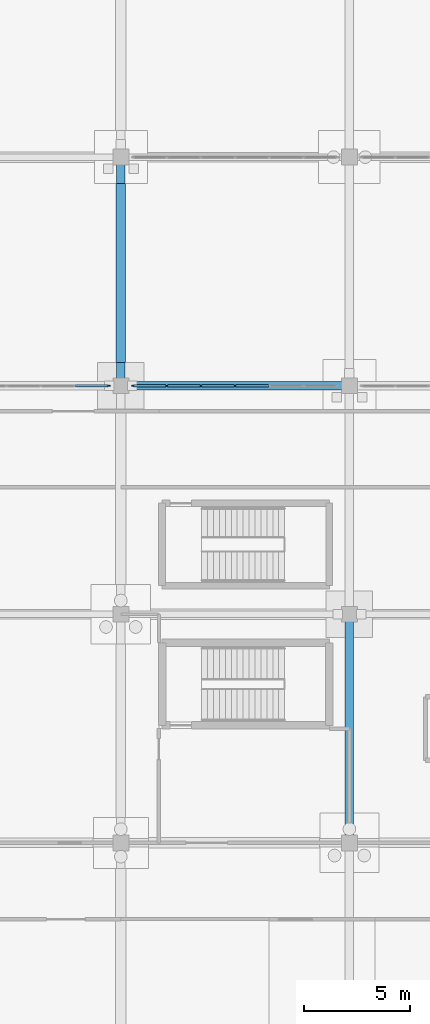
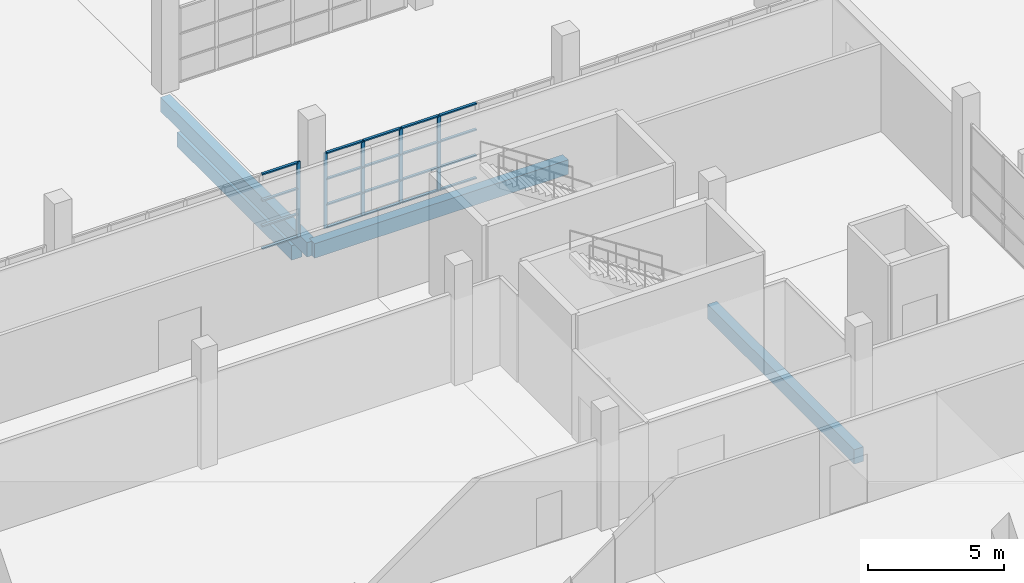
# One storey, part 64 of 138: 25 members, 4 beams, 2 elements without a shape of their own.
"""IFC4 building model written with IfcOpenShell, lengths in metres."""

from ifc_helpers import new_model, si_unit, direction, frame, origin, origin_2d, place, context, subcontext, project, spatial, rectangle, extrude, material, material_profile, profile_set, type_object, element, aggregate, save


model = new_model("IFC4")

# Units and contexts
model_context = context("Model", 3, precision=1e-05, world=origin(), true_north=direction((0.0, 1.0)))
body_context = subcontext(model_context, "Body", "Model", "MODEL_VIEW")
ifc_project = project(units=[si_unit("LENGTHUNIT", "METRE"), si_unit("AREAUNIT", "SQUARE_METRE"), si_unit("VOLUMEUNIT", "CUBIC_METRE"), si_unit("PLANEANGLEUNIT", "RADIAN"), si_unit("MASSUNIT", "GRAM", prefix="KILO")], contexts=[model_context])

# Site, building, storey
site_placement = place(None, origin())
site = spatial("IfcSite", under=ifc_project, at=site_placement, CompositionType="ELEMENT")
building_placement = place(site_placement, origin())
building = spatial("IfcBuilding", under=site, at=building_placement, Name="Zwinboog Wholesale Market", CompositionType="ELEMENT")
storey_placement = place(building_placement, origin())
storey = spatial("IfcBuildingStorey", under=building, at=storey_placement, Name="L00", CompositionType="ELEMENT", Elevation=0.0)

# Beams
ifc_material_1 = material(Name="Precast concrete C45/55", Category="concrete")
ifc_material_profile_1 = material_profile(ifc_material_1, rectangle(XDim=0.39990234375, YDim=0.64990234375, at=origin_2d()), Name="PC 400x650")
ifc_profile_set_1 = profile_set([ifc_material_profile_1], Name="Precast concrete C45/55")
beam_type_1 = type_object("IfcBeamType", Name="BT-05", PredefinedType="BEAM", material=ifc_profile_set_1)
for number, where, z_axis, x_axis, name in (
    (1, (151.199951171875, 54.0, -0.719970703125), (1.0, 0.0, 0.0), (0.0, 1.0, 0.0), "BG-05 (BMG-L00-1512-0540-0081)"),
    (2, (151.199951171875, 54.0, -0.719970703125), (0.0, 1.0, 0.0), (-1.0, 0.0, 0.0), "BG-05 (BMG-L00-1512-0540-0358)"),
    (3, (162.0, 32.39990234375, -0.719970703125), (0.0, 1.0, 0.0), (-1.0, 0.0, 0.0), "BG-05 (BMG-L00-1620-0324-0368)"),
):
    element("IfcBeam", number, at=place(storey_placement, frame(where, z_axis=z_axis, x_axis=x_axis)), inside=storey, type_object=beam_type_1, Name=name, PredefinedType="BEAM", context=body_context, shape_type="SweptSolid", body=[
        extrude(rectangle(XDim=0.39990234375, YDim=0.64990234375, at=origin_2d()), origin(), (0.0, 0.0, 1.0), 10.800048828125),
    ])
ifc_material_2 = material(Name="Concrete C35/45", Category="concrete")
ifc_material_profile_2 = material_profile(ifc_material_2, rectangle(XDim=0.449951171875, YDim=0.64990234375, at=origin_2d()), Name="RC 450x650")
ifc_profile_set_2 = profile_set([ifc_material_profile_2], Name="Concrete C35/45")
beam_type_2 = type_object("IfcBeamType", Name="BT-13", PredefinedType="USERDEFINED", material=ifc_profile_set_2)
beam_placement = place(storey_placement, frame((151.199951171875, 55.10498046875, -1.52490234375), z_axis=(0.0, 1.0, 0.0), x_axis=(-1.0, 0.0, 0.0)))
element("IfcBeam", 4, at=beam_placement, inside=storey, type_object=beam_type_2, Name="GB-02 (BM-GB-0189)", ObjectType="GROUND_BEAM", PredefinedType="USERDEFINED", context=body_context, shape_type="SweptSolid", body=[
    extrude(rectangle(XDim=0.449951171875, YDim=0.64990234375, at=origin_2d()), origin(), (0.0, 0.0, 1.0), 8.43994140625),
])

# Curtain wall, member
ifc_material_3 = material(Name="Aluminium thermally broken curtain wall", Category="aluminium")
curtain_wall_type = type_object("IfcCurtainWallType", Name="CWT-INT-STALL", PredefinedType="USERDEFINED", material=ifc_material_3)
curtain_wall_1_placement = place(storey_placement, origin())
curtain_wall_1 = element("IfcCurtainWall", 5, at=curtain_wall_1_placement, inside=storey, type_object=curtain_wall_type, Name="CW-07 (CW-STL-188)", ObjectType="STOREFRONT_GLAZING", PredefinedType="USERDEFINED")
ifc_material_4 = material(Name="Aluminium EN AW-6060", Category="aluminium")
ifc_material_profile_3 = material_profile(ifc_material_4, rectangle(XDim=0.06005859375, YDim=0.14990234375, at=origin_2d()), Name="AL 60x150")
ifc_profile_set_3 = profile_set([ifc_material_profile_3], Name="Aluminium EN AW-6060")
member_type_1 = type_object("IfcMemberType", Name="CWM-INT-60x120", PredefinedType="MULLION", material=ifc_profile_set_3)
member_1_placement = place(storey_placement, frame((150.6201171875, 54.0, 0.0), z_axis=(0.0, 0.0, 1.0), x_axis=(0.0, 1.0, 0.0)))
member_1 = element("IfcMember", 6, at=member_1_placement, type_object=member_type_1, Name="CW-07 mullion 7", PredefinedType="MULLION", context=body_context, shape_type="SweptSolid", body=[
    extrude(rectangle(XDim=0.06005859375, YDim=0.14990234375, at=origin_2d()), origin(), (0.0, 0.0, 1.0), 3.39990234375),
])

# Curtain wall, members
curtain_wall_2_placement = place(storey_placement, origin())
curtain_wall_2 = element("IfcCurtainWall", 7, at=curtain_wall_2_placement, inside=storey, type_object=curtain_wall_type, Name="CW-07 (CW-STL-189)", ObjectType="STOREFRONT_GLAZING", PredefinedType="USERDEFINED")
member_2_placement = place(storey_placement, frame((151.780029296875, 54.0, 0.0), z_axis=(0.0, 0.0, 1.0), x_axis=(0.0, 1.0, 0.0)))
member_2 = element("IfcMember", 8, at=member_2_placement, type_object=member_type_1, Name="CW-07 mullion 1", PredefinedType="MULLION", context=body_context, shape_type="SweptSolid", body=[
    extrude(rectangle(XDim=0.06005859375, YDim=0.14990234375, at=origin_2d()), origin(), (0.0, 0.0, 1.0), 3.39990234375),
])
member_3_placement = place(storey_placement, frame((153.36669921875, 54.0, 0.0), z_axis=(0.0, 0.0, 1.0), x_axis=(0.0, 1.0, 0.0)))
member_3 = element("IfcMember", 9, at=member_3_placement, type_object=member_type_1, Name="CW-07 mullion 2", PredefinedType="MULLION", context=body_context, shape_type="SweptSolid", body=[
    extrude(rectangle(XDim=0.06005859375, YDim=0.14990234375, at=origin_2d()), origin(), (0.0, 0.0, 1.0), 3.39990234375),
])
member_4_placement = place(storey_placement, frame((154.9833984375, 54.0, 0.0), z_axis=(0.0, 0.0, 1.0), x_axis=(0.0, 1.0, 0.0)))
member_4 = element("IfcMember", 10, at=member_4_placement, type_object=member_type_1, Name="CW-07 mullion 3", PredefinedType="MULLION", context=body_context, shape_type="SweptSolid", body=[
    extrude(rectangle(XDim=0.06005859375, YDim=0.14990234375, at=origin_2d()), origin(), (0.0, 0.0, 1.0), 3.39990234375),
])
member_5_placement = place(storey_placement, frame((156.60009765625, 54.0, 0.0), z_axis=(0.0, 0.0, 1.0), x_axis=(0.0, 1.0, 0.0)))
member_5 = element("IfcMember", 11, at=member_5_placement, type_object=member_type_1, Name="CW-07 mullion 4", PredefinedType="MULLION", context=body_context, shape_type="SweptSolid", body=[
    extrude(rectangle(XDim=0.06005859375, YDim=0.14990234375, at=origin_2d()), origin(), (0.0, 0.0, 1.0), 3.39990234375),
])

# Member
ifc_material_profile_4 = material_profile(ifc_material_4, rectangle(XDim=0.110107421875, YDim=0.06005859375, at=origin_2d()), Name="AL 60x110")
ifc_profile_set_4 = profile_set([ifc_material_profile_4], Name="Aluminium EN AW-6060")
member_type_2 = type_object("IfcMemberType", Name="CWT-INT-60x100", PredefinedType="USERDEFINED", material=ifc_profile_set_4)
member_6_placement = place(storey_placement, frame((149.063232421875, 54.0, 0.030029296875), z_axis=(1.0, 0.0, 0.0), x_axis=(0.0, 1.0, 0.0)))
member_6 = element("IfcMember", 12, at=member_6_placement, type_object=member_type_2, Name="CW-07 transom 6.1", ObjectType="TRANSOM", PredefinedType="USERDEFINED", context=body_context, shape_type="SweptSolid", body=[
    extrude(rectangle(XDim=0.110107421875, YDim=0.06005859375, at=origin_2d()), origin(), (0.0, 0.0, 1.0), 1.52685546875),
])

member_7_placement = place(storey_placement, frame((149.063232421875, 54.0, 1.050048828125), z_axis=(1.0, 0.0, 0.0), x_axis=(0.0, 1.0, 0.0)))
member_7 = element("IfcMember", 13, at=member_7_placement, type_object=member_type_2, Name="CW-07 transom 6.2", ObjectType="TRANSOM", PredefinedType="USERDEFINED", context=body_context, shape_type="SweptSolid", body=[
    extrude(rectangle(XDim=0.110107421875, YDim=0.06005859375, at=origin_2d()), origin(), (0.0, 0.0, 1.0), 1.52685546875),
])

member_8_placement = place(storey_placement, frame((149.063232421875, 54.0, 2.199951171875), z_axis=(1.0, 0.0, 0.0), x_axis=(0.0, 1.0, 0.0)))
member_8 = element("IfcMember", 14, at=member_8_placement, type_object=member_type_2, Name="CW-07 transom 6.3", ObjectType="TRANSOM", PredefinedType="USERDEFINED", context=body_context, shape_type="SweptSolid", body=[
    extrude(rectangle(XDim=0.110107421875, YDim=0.06005859375, at=origin_2d()), origin(), (0.0, 0.0, 1.0), 1.52685546875),
])

member_9_placement = place(storey_placement, frame((149.063232421875, 54.0, 3.3701171875), z_axis=(1.0, 0.0, 0.0), x_axis=(0.0, 1.0, 0.0)))
member_9 = element("IfcMember", 15, at=member_9_placement, type_object=member_type_2, Name="CW-07 transom 6.4", ObjectType="TRANSOM", PredefinedType="USERDEFINED", context=body_context, shape_type="SweptSolid", body=[
    extrude(rectangle(XDim=0.110107421875, YDim=0.06005859375, at=origin_2d()), origin(), (0.0, 0.0, 1.0), 1.52685546875),
])

aggregate(curtain_wall_1, [member_1, member_6, member_7, member_8, member_9])

member_10_placement = place(storey_placement, frame((151.81005859375, 54.0, 0.030029296875), z_axis=(1.0, 0.0, 0.0), x_axis=(0.0, 1.0, 0.0)))
member_10 = element("IfcMember", 16, at=member_10_placement, type_object=member_type_2, Name="CW-07 transom 1.1", ObjectType="TRANSOM", PredefinedType="USERDEFINED", context=body_context, shape_type="SweptSolid", body=[
    extrude(rectangle(XDim=0.110107421875, YDim=0.06005859375, at=origin_2d()), origin(), (0.0, 0.0, 1.0), 1.526611328125),
])

member_11_placement = place(storey_placement, frame((151.81005859375, 54.0, 1.050048828125), z_axis=(1.0, 0.0, 0.0), x_axis=(0.0, 1.0, 0.0)))
member_11 = element("IfcMember", 17, at=member_11_placement, type_object=member_type_2, Name="CW-07 transom 1.2", ObjectType="TRANSOM", PredefinedType="USERDEFINED", context=body_context, shape_type="SweptSolid", body=[
    extrude(rectangle(XDim=0.110107421875, YDim=0.06005859375, at=origin_2d()), origin(), (0.0, 0.0, 1.0), 1.526611328125),
])

member_12_placement = place(storey_placement, frame((151.81005859375, 54.0, 2.199951171875), z_axis=(1.0, 0.0, 0.0), x_axis=(0.0, 1.0, 0.0)))
member_12 = element("IfcMember", 18, at=member_12_placement, type_object=member_type_2, Name="CW-07 transom 1.3", ObjectType="TRANSOM", PredefinedType="USERDEFINED", context=body_context, shape_type="SweptSolid", body=[
    extrude(rectangle(XDim=0.110107421875, YDim=0.06005859375, at=origin_2d()), origin(), (0.0, 0.0, 1.0), 1.526611328125),
])

member_13_placement = place(storey_placement, frame((151.81005859375, 54.0, 3.3701171875), z_axis=(1.0, 0.0, 0.0), x_axis=(0.0, 1.0, 0.0)))
member_13 = element("IfcMember", 19, at=member_13_placement, type_object=member_type_2, Name="CW-07 transom 1.4", ObjectType="TRANSOM", PredefinedType="USERDEFINED", context=body_context, shape_type="SweptSolid", body=[
    extrude(rectangle(XDim=0.110107421875, YDim=0.06005859375, at=origin_2d()), origin(), (0.0, 0.0, 1.0), 1.526611328125),
])

member_14_placement = place(storey_placement, frame((153.396728515625, 54.0, 0.030029296875), z_axis=(1.0, 0.0, 0.0), x_axis=(0.0, 1.0, 0.0)))
member_14 = element("IfcMember", 20, at=member_14_placement, type_object=member_type_2, Name="CW-07 transom 2.1", ObjectType="TRANSOM", PredefinedType="USERDEFINED", context=body_context, shape_type="SweptSolid", body=[
    extrude(rectangle(XDim=0.110107421875, YDim=0.06005859375, at=origin_2d()), origin(), (0.0, 0.0, 1.0), 1.556640625),
])

member_15_placement = place(storey_placement, frame((153.396728515625, 54.0, 1.050048828125), z_axis=(1.0, 0.0, 0.0), x_axis=(0.0, 1.0, 0.0)))
member_15 = element("IfcMember", 21, at=member_15_placement, type_object=member_type_2, Name="CW-07 transom 2.2", ObjectType="TRANSOM", PredefinedType="USERDEFINED", context=body_context, shape_type="SweptSolid", body=[
    extrude(rectangle(XDim=0.110107421875, YDim=0.06005859375, at=origin_2d()), origin(), (0.0, 0.0, 1.0), 1.556640625),
])

member_16_placement = place(storey_placement, frame((153.396728515625, 54.0, 2.199951171875), z_axis=(1.0, 0.0, 0.0), x_axis=(0.0, 1.0, 0.0)))
member_16 = element("IfcMember", 22, at=member_16_placement, type_object=member_type_2, Name="CW-07 transom 2.3", ObjectType="TRANSOM", PredefinedType="USERDEFINED", context=body_context, shape_type="SweptSolid", body=[
    extrude(rectangle(XDim=0.110107421875, YDim=0.06005859375, at=origin_2d()), origin(), (0.0, 0.0, 1.0), 1.556640625),
])

member_17_placement = place(storey_placement, frame((153.396728515625, 54.0, 3.3701171875), z_axis=(1.0, 0.0, 0.0), x_axis=(0.0, 1.0, 0.0)))
member_17 = element("IfcMember", 23, at=member_17_placement, type_object=member_type_2, Name="CW-07 transom 2.4", ObjectType="TRANSOM", PredefinedType="USERDEFINED", context=body_context, shape_type="SweptSolid", body=[
    extrude(rectangle(XDim=0.110107421875, YDim=0.06005859375, at=origin_2d()), origin(), (0.0, 0.0, 1.0), 1.556640625),
])

member_18_placement = place(storey_placement, frame((155.013427734375, 54.0, 0.030029296875), z_axis=(1.0, 0.0, 0.0), x_axis=(0.0, 1.0, 0.0)))
member_18 = element("IfcMember", 24, at=member_18_placement, type_object=member_type_2, Name="CW-07 transom 3.1", ObjectType="TRANSOM", PredefinedType="USERDEFINED", context=body_context, shape_type="SweptSolid", body=[
    extrude(rectangle(XDim=0.110107421875, YDim=0.06005859375, at=origin_2d()), origin(), (0.0, 0.0, 1.0), 1.556640625),
])

member_19_placement = place(storey_placement, frame((155.013427734375, 54.0, 1.050048828125), z_axis=(1.0, 0.0, 0.0), x_axis=(0.0, 1.0, 0.0)))
member_19 = element("IfcMember", 25, at=member_19_placement, type_object=member_type_2, Name="CW-07 transom 3.2", ObjectType="TRANSOM", PredefinedType="USERDEFINED", context=body_context, shape_type="SweptSolid", body=[
    extrude(rectangle(XDim=0.110107421875, YDim=0.06005859375, at=origin_2d()), origin(), (0.0, 0.0, 1.0), 1.556640625),
])

member_20_placement = place(storey_placement, frame((155.013427734375, 54.0, 2.199951171875), z_axis=(1.0, 0.0, 0.0), x_axis=(0.0, 1.0, 0.0)))
member_20 = element("IfcMember", 26, at=member_20_placement, type_object=member_type_2, Name="CW-07 transom 3.3", ObjectType="TRANSOM", PredefinedType="USERDEFINED", context=body_context, shape_type="SweptSolid", body=[
    extrude(rectangle(XDim=0.110107421875, YDim=0.06005859375, at=origin_2d()), origin(), (0.0, 0.0, 1.0), 1.556640625),
])

member_21_placement = place(storey_placement, frame((155.013427734375, 54.0, 3.3701171875), z_axis=(1.0, 0.0, 0.0), x_axis=(0.0, 1.0, 0.0)))
member_21 = element("IfcMember", 27, at=member_21_placement, type_object=member_type_2, Name="CW-07 transom 3.4", ObjectType="TRANSOM", PredefinedType="USERDEFINED", context=body_context, shape_type="SweptSolid", body=[
    extrude(rectangle(XDim=0.110107421875, YDim=0.06005859375, at=origin_2d()), origin(), (0.0, 0.0, 1.0), 1.556640625),
])

member_22_placement = place(storey_placement, frame((156.6298828125, 54.0, 0.030029296875), z_axis=(1.0, 0.0, 0.0), x_axis=(0.0, 1.0, 0.0)))
member_22 = element("IfcMember", 28, at=member_22_placement, type_object=member_type_2, Name="CW-07 transom 4.1", ObjectType="TRANSOM", PredefinedType="USERDEFINED", context=body_context, shape_type="SweptSolid", body=[
    extrude(rectangle(XDim=0.110107421875, YDim=0.06005859375, at=origin_2d()), origin(), (0.0, 0.0, 1.0), 1.556884765625),
])

member_23_placement = place(storey_placement, frame((156.6298828125, 54.0, 1.050048828125), z_axis=(1.0, 0.0, 0.0), x_axis=(0.0, 1.0, 0.0)))
member_23 = element("IfcMember", 29, at=member_23_placement, type_object=member_type_2, Name="CW-07 transom 4.2", ObjectType="TRANSOM", PredefinedType="USERDEFINED", context=body_context, shape_type="SweptSolid", body=[
    extrude(rectangle(XDim=0.110107421875, YDim=0.06005859375, at=origin_2d()), origin(), (0.0, 0.0, 1.0), 1.556884765625),
])

member_24_placement = place(storey_placement, frame((156.6298828125, 54.0, 2.199951171875), z_axis=(1.0, 0.0, 0.0), x_axis=(0.0, 1.0, 0.0)))
member_24 = element("IfcMember", 30, at=member_24_placement, type_object=member_type_2, Name="CW-07 transom 4.3", ObjectType="TRANSOM", PredefinedType="USERDEFINED", context=body_context, shape_type="SweptSolid", body=[
    extrude(rectangle(XDim=0.110107421875, YDim=0.06005859375, at=origin_2d()), origin(), (0.0, 0.0, 1.0), 1.556884765625),
])

member_25_placement = place(storey_placement, frame((156.6298828125, 54.0, 3.3701171875), z_axis=(1.0, 0.0, 0.0), x_axis=(0.0, 1.0, 0.0)))
member_25 = element("IfcMember", 31, at=member_25_placement, type_object=member_type_2, Name="CW-07 transom 4.4", ObjectType="TRANSOM", PredefinedType="USERDEFINED", context=body_context, shape_type="SweptSolid", body=[
    extrude(rectangle(XDim=0.110107421875, YDim=0.06005859375, at=origin_2d()), origin(), (0.0, 0.0, 1.0), 1.556884765625),
])

aggregate(curtain_wall_2, [member_2, member_3, member_4, member_5, member_10, member_11, member_12, member_13, member_14, member_15, member_16, member_17, member_18, member_19, member_20, member_21, member_22, member_23, member_24, member_25])

save(model, "model.ifc")
